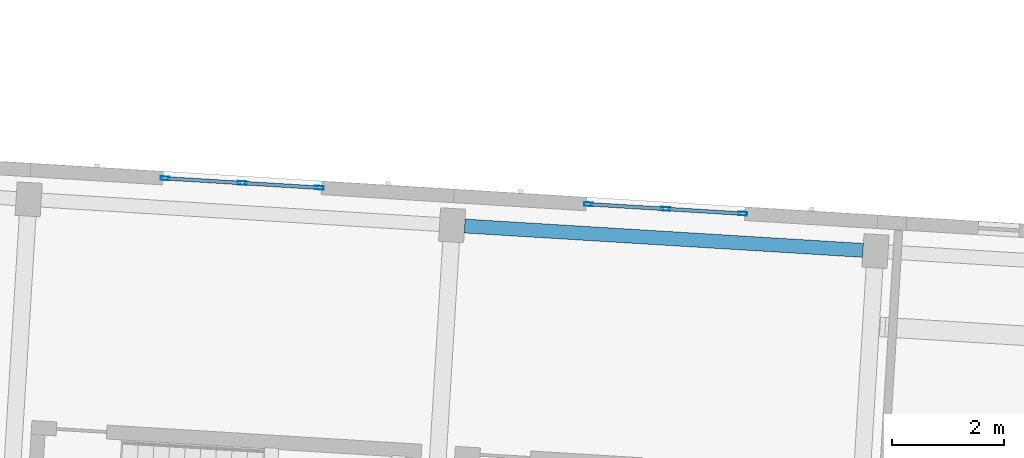
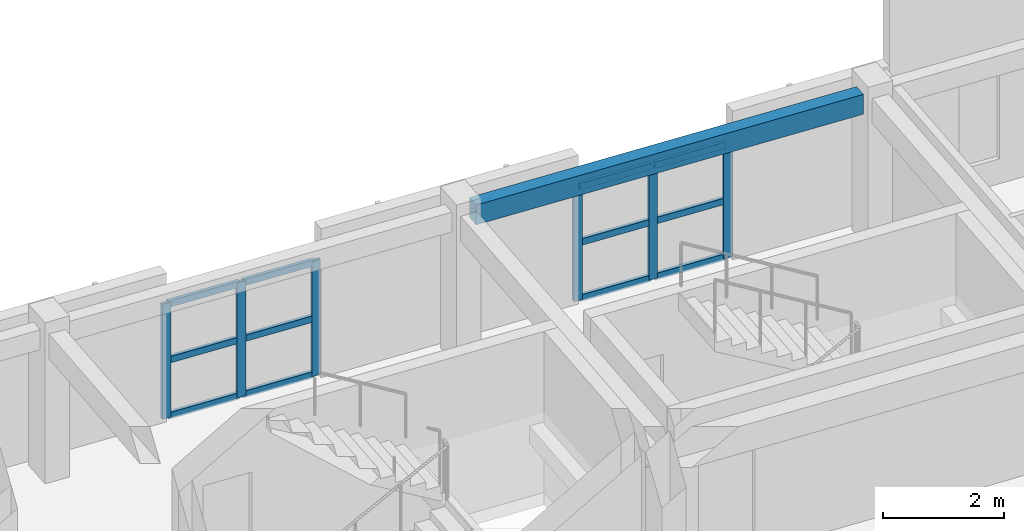
# One storey, part 8 of 56: 18 members, 1 beam, 2 elements without a shape of their own.
"""IFC4 building model written with IfcOpenShell, lengths in metres."""

from ifc_helpers import new_model, si_unit, direction, frame, origin, origin_2d, place, context, subcontext, project, spatial, rectangle, hollow_rectangle, extrude, material, material_profile, profile_set, type_object, element, aggregate, save


model = new_model("IFC4")

# Units and contexts
model_context = context("Model", 3, precision=1e-05, world=origin(), true_north=direction((0.0, 1.0)))
body_context = subcontext(model_context, "Body", "Model", "MODEL_VIEW")
ifc_project = project(units=[si_unit("LENGTHUNIT", "METRE"), si_unit("AREAUNIT", "SQUARE_METRE"), si_unit("VOLUMEUNIT", "CUBIC_METRE"), si_unit("PLANEANGLEUNIT", "RADIAN"), si_unit("MASSUNIT", "GRAM", prefix="KILO")], contexts=[model_context])

# Site, building, storey
site_placement = place(None, origin())
site = spatial("IfcSite", under=ifc_project, at=site_placement, CompositionType="ELEMENT")
building_placement = place(site_placement, origin())
building = spatial("IfcBuilding", under=site, at=building_placement, Name="Kestramere Prow Commons", CompositionType="ELEMENT")
storey_placement = place(building_placement, frame((0.0, 0.0, 27.89990234375)))
storey = spatial("IfcBuildingStorey", under=building, at=storey_placement, Name="L08", CompositionType="ELEMENT", Elevation=27.89990234375)

# Curtain wall, members
ifc_material_1 = material(Name="Anodised Aluminium and Low-E Glass", Category="aluminium")
curtain_wall_type = type_object("IfcCurtainWallType", Name="CW-03 Glazed Curtain Wall 2830x2320", PredefinedType="USERDEFINED", material=ifc_material_1)
curtain_wall_1_placement = place(storey_placement, origin())
curtain_wall_1 = element("IfcCurtainWall", 1, at=curtain_wall_1_placement, inside=storey, type_object=curtain_wall_type, Name="Block C L08 Stairwell Vertical Glazing 2", ObjectType="GLAZED CURTAIN WALL", PredefinedType="USERDEFINED")
ifc_material_2 = material(Name="Anodised Aluminium 6063-T6", Category="aluminium")
ifc_material_profile_1 = material_profile(ifc_material_2, hollow_rectangle(XDim=0.06494140625, YDim=0.159912109375, WallThickness=0.00390625, at=origin_2d()), Name="ALU-MUL 65x160")
ifc_profile_set_1 = profile_set([ifc_material_profile_1], Name="Anodised Aluminium 6063-T6")
member_type_1 = type_object("IfcMemberType", Name="CW-MUL-65x160", PredefinedType="MULLION", material=ifc_profile_set_1)
member_1_placement = place(storey_placement, frame((70.7275390625, 65.975830078125, 0.0), z_axis=(0.0, 0.0, 1.0), x_axis=(0.061048420708, 0.99813480569, 0.0)))
member_1 = element("IfcMember", 2, at=member_1_placement, type_object=member_type_1, Name="CW-03 mullion 1", PredefinedType="MULLION", context=body_context, shape_type="SweptSolid", body=[
    extrude(hollow_rectangle(XDim=0.06494140625, YDim=0.159912109375, WallThickness=0.00390625, at=origin_2d()), origin(), (0.0, 0.0, 1.0), 2.320068359375),
])
member_2_placement = place(storey_placement, frame((72.107421875, 65.8916015625, 0.0), z_axis=(0.0, 0.0, 1.0), x_axis=(0.061048420708, 0.99813480569, 0.0)))
member_2 = element("IfcMember", 3, at=member_2_placement, type_object=member_type_1, Name="CW-03 mullion 2", PredefinedType="MULLION", context=body_context, shape_type="SweptSolid", body=[
    extrude(hollow_rectangle(XDim=0.06494140625, YDim=0.159912109375, WallThickness=0.00390625, at=origin_2d()), origin(), (0.0, 0.0, 1.0), 2.320068359375),
])
member_3_placement = place(storey_placement, frame((73.4873046875, 65.80712890625, 0.0), z_axis=(0.0, 0.0, 1.0), x_axis=(0.061048420708, 0.99813480569, 0.0)))
member_3 = element("IfcMember", 4, at=member_3_placement, type_object=member_type_1, Name="CW-03 mullion 3", PredefinedType="MULLION", context=body_context, shape_type="SweptSolid", body=[
    extrude(hollow_rectangle(XDim=0.06494140625, YDim=0.159912109375, WallThickness=0.00390625, at=origin_2d()), origin(), (0.0, 0.0, 1.0), 2.320068359375),
])

curtain_wall_2_placement = place(storey_placement, origin())
curtain_wall_2 = element("IfcCurtainWall", 5, at=curtain_wall_2_placement, inside=storey, type_object=curtain_wall_type, Name="Block C L08 Stairwell Vertical Glazing 3", ObjectType="GLAZED CURTAIN WALL", PredefinedType="USERDEFINED")
member_4_placement = place(storey_placement, frame((78.313232421875, 65.511962890625, 0.0), z_axis=(0.0, 0.0, 1.0), x_axis=(0.061048399176, 0.998134807007, 0.0)))
member_4 = element("IfcMember", 6, at=member_4_placement, type_object=member_type_1, Name="CW-03 mullion 1", PredefinedType="MULLION", context=body_context, shape_type="SweptSolid", body=[
    extrude(hollow_rectangle(XDim=0.06494140625, YDim=0.159912109375, WallThickness=0.00390625, at=origin_2d()), origin(), (0.0, 0.0, 1.0), 2.320068359375),
])
member_5_placement = place(storey_placement, frame((79.693115234375, 65.427490234375, 0.0), z_axis=(0.0, 0.0, 1.0), x_axis=(0.061048399176, 0.998134807007, 0.0)))
member_5 = element("IfcMember", 7, at=member_5_placement, type_object=member_type_1, Name="CW-03 mullion 2", PredefinedType="MULLION", context=body_context, shape_type="SweptSolid", body=[
    extrude(hollow_rectangle(XDim=0.06494140625, YDim=0.159912109375, WallThickness=0.00390625, at=origin_2d()), origin(), (0.0, 0.0, 1.0), 2.320068359375),
])
member_6_placement = place(storey_placement, frame((81.072998046875, 65.34326171875, 0.0), z_axis=(0.0, 0.0, 1.0), x_axis=(0.061048399176, 0.998134807007, 0.0)))
member_6 = element("IfcMember", 8, at=member_6_placement, type_object=member_type_1, Name="CW-03 mullion 3", PredefinedType="MULLION", context=body_context, shape_type="SweptSolid", body=[
    extrude(hollow_rectangle(XDim=0.06494140625, YDim=0.159912109375, WallThickness=0.00390625, at=origin_2d()), origin(), (0.0, 0.0, 1.0), 2.320068359375),
])

# Member
ifc_material_profile_2 = material_profile(ifc_material_2, hollow_rectangle(XDim=0.06494140625, YDim=0.1298828125, WallThickness=0.00390625, at=origin_2d()), Name="ALU-TRN 65x130")
ifc_profile_set_2 = profile_set([ifc_material_profile_2], Name="Anodised Aluminium 6063-T6")
member_type_2 = type_object("IfcMemberType", Name="CW-TRN-65x130", PredefinedType="USERDEFINED", material=ifc_profile_set_2)
member_7_placement = place(storey_placement, frame((70.759765625, 65.973876953125, 0.03271484375), z_axis=(0.998140248091, -0.060959372865, 0.0), x_axis=(0.060959372865, 0.998140248091, 0.0)))
member_7 = element("IfcMember", 9, at=member_7_placement, type_object=member_type_2, Name="CW-03 transom 1.1", ObjectType="TRANSOM", PredefinedType="USERDEFINED", context=body_context, shape_type="SweptSolid", body=[
    extrude(hollow_rectangle(XDim=0.06494140625, YDim=0.1298828125, WallThickness=0.00390625, at=origin_2d()), origin(), (0.0, 0.0, 1.0), 1.317626953125),
])

member_8_placement = place(storey_placement, frame((70.759765625, 65.973876953125, 1.16015625), z_axis=(0.998140248091, -0.060959372865, 0.0), x_axis=(0.060959372865, 0.998140248091, 0.0)))
member_8 = element("IfcMember", 10, at=member_8_placement, type_object=member_type_2, Name="CW-03 transom 1.2", ObjectType="TRANSOM", PredefinedType="USERDEFINED", context=body_context, shape_type="SweptSolid", body=[
    extrude(hollow_rectangle(XDim=0.06494140625, YDim=0.1298828125, WallThickness=0.00390625, at=origin_2d()), origin(), (0.0, 0.0, 1.0), 1.317626953125),
])

member_9_placement = place(storey_placement, frame((70.759765625, 65.973876953125, 2.28759765625), z_axis=(0.998140248091, -0.060959372865, 0.0), x_axis=(0.060959372865, 0.998140248091, 0.0)))
member_9 = element("IfcMember", 11, at=member_9_placement, type_object=member_type_2, Name="CW-03 transom 1.3", ObjectType="TRANSOM", PredefinedType="USERDEFINED", context=body_context, shape_type="SweptSolid", body=[
    extrude(hollow_rectangle(XDim=0.06494140625, YDim=0.1298828125, WallThickness=0.00390625, at=origin_2d()), origin(), (0.0, 0.0, 1.0), 1.317626953125),
])

member_10_placement = place(storey_placement, frame((72.139892578125, 65.889404296875, 0.03271484375), z_axis=(0.998139559366, -0.06097064891, 0.0), x_axis=(0.06097064891, 0.998139559366, 0.0)))
member_10 = element("IfcMember", 12, at=member_10_placement, type_object=member_type_2, Name="CW-03 transom 2.1", ObjectType="TRANSOM", PredefinedType="USERDEFINED", context=body_context, shape_type="SweptSolid", body=[
    extrude(hollow_rectangle(XDim=0.06494140625, YDim=0.1298828125, WallThickness=0.00390625, at=origin_2d()), origin(), (0.0, 0.0, 1.0), 1.3173828125),
])

member_11_placement = place(storey_placement, frame((72.139892578125, 65.889404296875, 1.16015625), z_axis=(0.998139559366, -0.06097064891, 0.0), x_axis=(0.06097064891, 0.998139559366, 0.0)))
member_11 = element("IfcMember", 13, at=member_11_placement, type_object=member_type_2, Name="CW-03 transom 2.2", ObjectType="TRANSOM", PredefinedType="USERDEFINED", context=body_context, shape_type="SweptSolid", body=[
    extrude(hollow_rectangle(XDim=0.06494140625, YDim=0.1298828125, WallThickness=0.00390625, at=origin_2d()), origin(), (0.0, 0.0, 1.0), 1.3173828125),
])

member_12_placement = place(storey_placement, frame((72.139892578125, 65.889404296875, 2.28759765625), z_axis=(0.998139559366, -0.06097064891, 0.0), x_axis=(0.06097064891, 0.998139559366, 0.0)))
member_12 = element("IfcMember", 14, at=member_12_placement, type_object=member_type_2, Name="CW-03 transom 2.3", ObjectType="TRANSOM", PredefinedType="USERDEFINED", context=body_context, shape_type="SweptSolid", body=[
    extrude(hollow_rectangle(XDim=0.06494140625, YDim=0.1298828125, WallThickness=0.00390625, at=origin_2d()), origin(), (0.0, 0.0, 1.0), 1.3173828125),
])

aggregate(curtain_wall_1, [member_1, member_2, member_3, member_7, member_8, member_9, member_10, member_11, member_12])

member_13_placement = place(storey_placement, frame((78.345703125, 65.510009765625, 0.03271484375), z_axis=(0.99812826429, -0.061155277983, 0.0), x_axis=(0.061155277983, 0.99812826429, 0.0)))
member_13 = element("IfcMember", 15, at=member_13_placement, type_object=member_type_2, Name="CW-03 transom 1.1", ObjectType="TRANSOM", PredefinedType="USERDEFINED", context=body_context, shape_type="SweptSolid", body=[
    extrude(hollow_rectangle(XDim=0.06494140625, YDim=0.1298828125, WallThickness=0.00390625, at=origin_2d()), origin(), (0.0, 0.0, 1.0), 1.3173828125),
])

member_14_placement = place(storey_placement, frame((78.345703125, 65.510009765625, 1.16015625), z_axis=(0.99812826429, -0.061155277983, 0.0), x_axis=(0.061155277983, 0.99812826429, 0.0)))
member_14 = element("IfcMember", 16, at=member_14_placement, type_object=member_type_2, Name="CW-03 transom 1.2", ObjectType="TRANSOM", PredefinedType="USERDEFINED", context=body_context, shape_type="SweptSolid", body=[
    extrude(hollow_rectangle(XDim=0.06494140625, YDim=0.1298828125, WallThickness=0.00390625, at=origin_2d()), origin(), (0.0, 0.0, 1.0), 1.3173828125),
])

member_15_placement = place(storey_placement, frame((78.345703125, 65.510009765625, 2.28759765625), z_axis=(0.99812826429, -0.061155277983, 0.0), x_axis=(0.061155277983, 0.99812826429, 0.0)))
member_15 = element("IfcMember", 17, at=member_15_placement, type_object=member_type_2, Name="CW-03 transom 1.3", ObjectType="TRANSOM", PredefinedType="USERDEFINED", context=body_context, shape_type="SweptSolid", body=[
    extrude(hollow_rectangle(XDim=0.06494140625, YDim=0.1298828125, WallThickness=0.00390625, at=origin_2d()), origin(), (0.0, 0.0, 1.0), 1.3173828125),
])

member_16_placement = place(storey_placement, frame((79.7255859375, 65.425537109375, 0.03271484375), z_axis=(0.998139559366, -0.06097064891, 0.0), x_axis=(0.06097064891, 0.998139559366, 0.0)))
member_16 = element("IfcMember", 18, at=member_16_placement, type_object=member_type_2, Name="CW-03 transom 2.1", ObjectType="TRANSOM", PredefinedType="USERDEFINED", context=body_context, shape_type="SweptSolid", body=[
    extrude(hollow_rectangle(XDim=0.06494140625, YDim=0.1298828125, WallThickness=0.00390625, at=origin_2d()), origin(), (0.0, 0.0, 1.0), 1.3173828125),
])

member_17_placement = place(storey_placement, frame((79.7255859375, 65.425537109375, 1.16015625), z_axis=(0.998139559366, -0.06097064891, 0.0), x_axis=(0.06097064891, 0.998139559366, 0.0)))
member_17 = element("IfcMember", 19, at=member_17_placement, type_object=member_type_2, Name="CW-03 transom 2.2", ObjectType="TRANSOM", PredefinedType="USERDEFINED", context=body_context, shape_type="SweptSolid", body=[
    extrude(hollow_rectangle(XDim=0.06494140625, YDim=0.1298828125, WallThickness=0.00390625, at=origin_2d()), origin(), (0.0, 0.0, 1.0), 1.3173828125),
])

member_18_placement = place(storey_placement, frame((79.7255859375, 65.425537109375, 2.28759765625), z_axis=(0.998139559366, -0.06097064891, 0.0), x_axis=(0.06097064891, 0.998139559366, 0.0)))
member_18 = element("IfcMember", 20, at=member_18_placement, type_object=member_type_2, Name="CW-03 transom 2.3", ObjectType="TRANSOM", PredefinedType="USERDEFINED", context=body_context, shape_type="SweptSolid", body=[
    extrude(hollow_rectangle(XDim=0.06494140625, YDim=0.1298828125, WallThickness=0.00390625, at=origin_2d()), origin(), (0.0, 0.0, 1.0), 1.3173828125),
])

aggregate(curtain_wall_2, [member_4, member_5, member_6, member_13, member_14, member_15, member_16, member_17, member_18])

# Beam
ifc_material_3 = material(Name="Precast concrete C40/50", Category="concrete")
ifc_material_profile_3 = material_profile(ifc_material_3, rectangle(XDim=0.25, YDim=0.39990234375, at=origin_2d()), Name="PC-SP 250x400")
ifc_profile_set_3 = profile_set([ifc_material_profile_3], Name="Precast concrete C40/50")
beam_type = type_object("IfcBeamType", Name="SP-EXT-01 PC-SP 250x400", PredefinedType="SPANDREL", material=ifc_profile_set_3)
beam_placement = place(storey_placement, frame((76.0927734375, 65.121826171875, 2.800048828125), z_axis=(0.998134602239, -0.061051747017, 0.0), x_axis=(0.061051747017, 0.998134602239, 0.0)))
element("IfcBeam", 21, at=beam_placement, inside=storey, type_object=beam_type, Name="Block C L08 Longitudinal Beam 4-3", PredefinedType="SPANDREL", context=body_context, shape_type="SweptSolid", body=[
    extrude(rectangle(XDim=0.25, YDim=0.39990234375, at=origin_2d()), origin(), (0.0, 0.0, 1.0), 7.150146484375),
])

save(model, "model.ifc")
